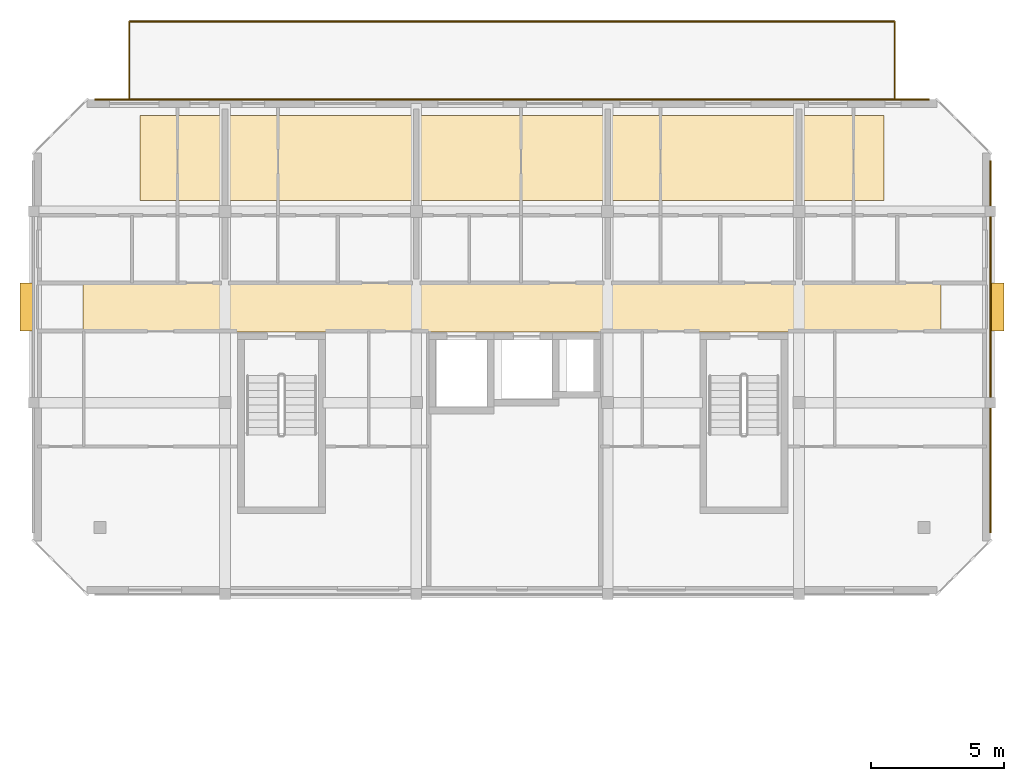
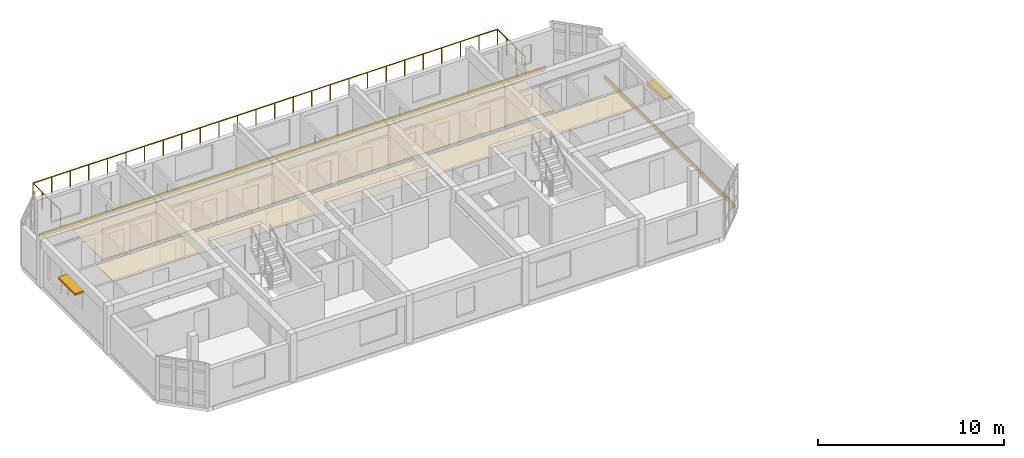
# One storey, part 16 of 16: 4 coverings, 2 shading devices, 1 railing.
"""IFC4 building model written with IfcOpenShell, lengths in metres."""

from ifc_helpers import new_model, si_unit, direction, frame, origin, origin_2d, place, context, subcontext, project, spatial, polyline, rectangle, circle, outline, extrude, material, layer, layer_set, type_object, element, save


model = new_model("IFC4")

# Units and contexts
model_context = context("Model", 3, precision=1e-05, world=origin(), true_north=direction((0.0, 1.0)))
body_context = subcontext(model_context, "Body", "Model", "MODEL_VIEW")
ifc_project = project(units=[si_unit("LENGTHUNIT", "METRE"), si_unit("AREAUNIT", "SQUARE_METRE"), si_unit("VOLUMEUNIT", "CUBIC_METRE"), si_unit("PLANEANGLEUNIT", "RADIAN"), si_unit("MASSUNIT", "GRAM", prefix="KILO")], contexts=[model_context])

# Site, building, storey
site_placement = place(None, origin())
site = spatial("IfcSite", under=ifc_project, at=site_placement, CompositionType="ELEMENT")
building_placement = place(site_placement, origin())
building = spatial("IfcBuilding", under=site, at=building_placement, Name="Ochrevale Crest", CompositionType="ELEMENT")
storey_placement = place(building_placement, frame((0.0, 0.0, 46.5)))
storey = spatial("IfcBuildingStorey", under=building, at=storey_placement, Name="L14", CompositionType="ELEMENT", Elevation=46.5)

# Coverings
ifc_material_1 = material(Name="Gypsum plasterboard", Category="gypsum")
ifc_layer_1 = layer(ifc_material_1, 0.02490234375)
ifc_layer_set_1 = layer_set([ifc_layer_1], Name="Gypsum plasterboard")
covering_type_1 = type_object("IfcCoveringType", Name="COV-CEIL-GYP", PredefinedType="CEILING", material=ifc_layer_set_1)
covering_1_placement = place(storey_placement, frame((0.0, 0.0, 2.280029296875)))
element("IfcCovering", 1, at=covering_1_placement, inside=storey, type_object=covering_type_1, Name="Block D L14 acoustic corridor ceiling", PredefinedType="CEILING", context=body_context, shape_type="SweptSolid", body=[
    extrude(outline(polyline([(131.449951171875, 81.860107421875), (163.75, 81.860107421875), (163.75, 83.739990234375), (131.449951171875, 83.739990234375), (131.449951171875, 81.860107421875)])), origin(), (0.0, 0.0, 1.0), 0.02490234375),
])
ifc_material_2 = material(Name="Glazed terracotta rainscreen tile", Category="masonry")
ifc_layer_2 = layer(ifc_material_2, 0.048095703125)
ifc_layer_set_2 = layer_set([ifc_layer_2], Name="Glazed terracotta rainscreen tile")
covering_type_2 = type_object("IfcCoveringType", Name="COV-CLAD-TER", PredefinedType="CLADDING", material=ifc_layer_set_2)
covering_2_placement = place(storey_placement, frame((165.614501953125, 81.300048828125, -0.26025390625), z_axis=(0.0, 0.0, 1.0), x_axis=(0.0, 1.0, 0.0)))
element("IfcCovering", 2, at=covering_2_placement, inside=storey, type_object=covering_type_2, Name="Block D L14 terracotta slab-edge spandrel cladding", PredefinedType="CLADDING", context=body_context, shape_type="SweptSolid", body=[
    extrude(rectangle(XDim=14.0, YDim=0.06005859375, at=origin_2d()), origin(), (0.0, 0.0, 1.0), 0.280029296875),
])
covering_3_placement = place(storey_placement, frame((147.60009765625, 90.614501953125, -0.26025390625), z_axis=(0.0, 0.0, 1.0), x_axis=(-1.0, 0.0, 0.0)))
element("IfcCovering", 3, at=covering_3_placement, inside=storey, type_object=covering_type_2, Name="Block D L14 terracotta slab-edge spandrel cladding", PredefinedType="CLADDING", context=body_context, shape_type="SweptSolid", body=[
    extrude(rectangle(XDim=31.39990234375, YDim=0.06005859375, at=origin_2d()), origin(), (0.0, 0.0, 1.0), 0.280029296875),
])
ifc_material_3 = material(Name="Engineered spotted-gum hardwood flooring", Category="wood")
ifc_layer_3 = layer(ifc_material_3, 0.02001953125)
ifc_layer_set_3 = layer_set([ifc_layer_3], Name="Engineered spotted-gum hardwood flooring")
covering_type_3 = type_object("IfcCoveringType", Name="COV-FLR-TIM", PredefinedType="FLOORING", material=ifc_layer_set_3)
covering_4_placement = place(storey_placement, origin())
element("IfcCovering", 4, at=covering_4_placement, inside=storey, type_object=covering_type_3, Name="Block D L14 spotted-gum apartment flooring", PredefinedType="FLOORING", context=body_context, shape_type="SweptSolid", body=[
    extrude(outline(polyline([(133.60009765625, 86.800048828125), (161.60009765625, 86.800048828125), (161.60009765625, 90.0), (133.60009765625, 90.0), (133.60009765625, 86.800048828125)])), origin(), (0.0, 0.0, 1.0), 0.02001953125),
])

# Railing
ifc_material_4 = material(Name="Galvanised steel", Category="steel")
railing_type = type_object("IfcRailingType", Name="RL-TER-1120", PredefinedType="BALUSTRADE", material=ifc_material_4)
railing_placement = place(storey_placement, frame((133.199951171875, 90.60009765625, 0.0)))
element("IfcRailing", 5, at=railing_placement, inside=storey, type_object=railing_type, Name="Block D L14 stepped roof-terrace perimeter balustrade", PredefinedType="BALUSTRADE", context=body_context, shape_type="SweptSolid", body=[
    extrude(circle(Radius=0.02392578125, at=origin_2d()), frame((0.0, 0.0, 1.09619140625), z_axis=(0.0, 1.0, 0.0), x_axis=(-1.0, 0.0, 0.0)), (0.0, 0.0, 1.0), 2.93994140625),
    extrude(circle(Radius=0.02392578125, at=origin_2d()), frame((0.0, 2.93994140625, 1.09619140625), z_axis=(1.0, 0.0, 0.0), x_axis=(0.0, 1.0, 0.0)), (0.0, 0.0, 1.0), 28.800048828125),
    extrude(circle(Radius=0.02392578125, at=origin_2d()), frame((28.800048828125, 2.93994140625, 1.09619140625), z_axis=(0.0, -1.0, 0.0), x_axis=(1.0, 0.0, 0.0)), (0.0, 0.0, 1.0), 2.93994140625),
    extrude(circle(Radius=0.02099609375, at=origin_2d()), origin(), (0.0, 0.0, 1.0), 1.072021484375),
    extrude(circle(Radius=0.02099609375, at=origin_2d()), frame((0.0, 0.97998046875, 0.0)), (0.0, 0.0, 1.0), 1.072021484375),
    extrude(circle(Radius=0.02099609375, at=origin_2d()), frame((0.0, 1.9599609375, 0.0)), (0.0, 0.0, 1.0), 1.072021484375),
    extrude(circle(Radius=0.02099609375, at=origin_2d()), frame((0.0, 2.93994140625, 0.0)), (0.0, 0.0, 1.0), 1.072021484375),
    extrude(circle(Radius=0.02099609375, at=origin_2d()), frame((1.152099609375, 2.93994140625, 0.0)), (0.0, 0.0, 1.0), 1.072021484375),
    extrude(circle(Radius=0.02099609375, at=origin_2d()), frame((2.303955078125, 2.93994140625, 0.0)), (0.0, 0.0, 1.0), 1.072021484375),
    extrude(circle(Radius=0.02099609375, at=origin_2d()), frame((3.4560546875, 2.93994140625, 0.0)), (0.0, 0.0, 1.0), 1.072021484375),
    extrude(circle(Radius=0.02099609375, at=origin_2d()), frame((4.60791015625, 2.93994140625, 0.0)), (0.0, 0.0, 1.0), 1.072021484375),
    extrude(circle(Radius=0.02099609375, at=origin_2d()), frame((5.760009765625, 2.93994140625, 0.0)), (0.0, 0.0, 1.0), 1.072021484375),
    extrude(circle(Radius=0.02099609375, at=origin_2d()), frame((6.912109375, 2.93994140625, 0.0)), (0.0, 0.0, 1.0), 1.072021484375),
    extrude(circle(Radius=0.02099609375, at=origin_2d()), frame((8.06396484375, 2.93994140625, 0.0)), (0.0, 0.0, 1.0), 1.072021484375),
    extrude(circle(Radius=0.02099609375, at=origin_2d()), frame((9.216064453125, 2.93994140625, 0.0)), (0.0, 0.0, 1.0), 1.072021484375),
    extrude(circle(Radius=0.02099609375, at=origin_2d()), frame((10.367919921875, 2.93994140625, 0.0)), (0.0, 0.0, 1.0), 1.072021484375),
    extrude(circle(Radius=0.02099609375, at=origin_2d()), frame((11.52001953125, 2.93994140625, 0.0)), (0.0, 0.0, 1.0), 1.072021484375),
    extrude(circle(Radius=0.02099609375, at=origin_2d()), frame((12.672119140625, 2.93994140625, 0.0)), (0.0, 0.0, 1.0), 1.072021484375),
    extrude(circle(Radius=0.02099609375, at=origin_2d()), frame((13.823974609375, 2.93994140625, 0.0)), (0.0, 0.0, 1.0), 1.072021484375),
    extrude(circle(Radius=0.02099609375, at=origin_2d()), frame((14.97607421875, 2.93994140625, 0.0)), (0.0, 0.0, 1.0), 1.072021484375),
    extrude(circle(Radius=0.02099609375, at=origin_2d()), frame((16.1279296875, 2.93994140625, 0.0)), (0.0, 0.0, 1.0), 1.072021484375),
    extrude(circle(Radius=0.02099609375, at=origin_2d()), frame((17.280029296875, 2.93994140625, 0.0)), (0.0, 0.0, 1.0), 1.072021484375),
    extrude(circle(Radius=0.02099609375, at=origin_2d()), frame((18.43212890625, 2.93994140625, 0.0)), (0.0, 0.0, 1.0), 1.072021484375),
    extrude(circle(Radius=0.02099609375, at=origin_2d()), frame((19.583984375, 2.93994140625, 0.0)), (0.0, 0.0, 1.0), 1.072021484375),
    extrude(circle(Radius=0.02099609375, at=origin_2d()), frame((20.736083984375, 2.93994140625, 0.0)), (0.0, 0.0, 1.0), 1.072021484375),
    extrude(circle(Radius=0.02099609375, at=origin_2d()), frame((21.887939453125, 2.93994140625, 0.0)), (0.0, 0.0, 1.0), 1.072021484375),
    extrude(circle(Radius=0.02099609375, at=origin_2d()), frame((23.0400390625, 2.93994140625, 0.0)), (0.0, 0.0, 1.0), 1.072021484375),
    extrude(circle(Radius=0.02099609375, at=origin_2d()), frame((24.192138671875, 2.93994140625, 0.0)), (0.0, 0.0, 1.0), 1.072021484375),
    extrude(circle(Radius=0.02099609375, at=origin_2d()), frame((25.343994140625, 2.93994140625, 0.0)), (0.0, 0.0, 1.0), 1.072021484375),
    extrude(circle(Radius=0.02099609375, at=origin_2d()), frame((26.49609375, 2.93994140625, 0.0)), (0.0, 0.0, 1.0), 1.072021484375),
    extrude(circle(Radius=0.02099609375, at=origin_2d()), frame((27.64794921875, 2.93994140625, 0.0)), (0.0, 0.0, 1.0), 1.072021484375),
    extrude(circle(Radius=0.02099609375, at=origin_2d()), frame((28.800048828125, 2.93994140625, 0.0)), (0.0, 0.0, 1.0), 1.072021484375),
    extrude(circle(Radius=0.02099609375, at=origin_2d()), frame((28.800048828125, 1.9599609375, 0.0)), (0.0, 0.0, 1.0), 1.072021484375),
    extrude(circle(Radius=0.02099609375, at=origin_2d()), frame((28.800048828125, 0.97998046875, 0.0)), (0.0, 0.0, 1.0), 1.072021484375),
    extrude(circle(Radius=0.02099609375, at=origin_2d()), frame((28.800048828125, 0.0, 0.0)), (0.0, 0.0, 1.0), 1.072021484375),
])

# Shading devices
ifc_material_5 = material(Name="Anodised aluminium 6063-T5", Category="aluminium")
shading_device_type = type_object("IfcShadingDeviceType", Name="SHD-SUNSHADE-OC", PredefinedType="USERDEFINED", material=ifc_material_5)
for number, where, z_axis, x_axis, name in (
    (6, (129.360107421875, 82.800048828125, 2.2099609375), (0.0, 0.0, 1.0), (1.0, 0.0, 0.0), "Block D L14 gable window sunshade W"),
    (7, (165.840087890625, 82.800048828125, 2.2099609375), (0.0, 0.0, 1.0), (1.0, 0.0, 0.0), "Block D L14 gable window sunshade E"),
):
    element("IfcShadingDevice", number, at=place(storey_placement, frame(where, z_axis=z_axis, x_axis=x_axis)), inside=storey, type_object=shading_device_type, Name=name, ObjectType="HORIZONTAL SUNSHADE", PredefinedType="USERDEFINED", context=body_context, shape_type="SweptSolid", body=[
        extrude(rectangle(XDim=0.550048828125, YDim=1.800048828125, at=origin_2d()), origin(), (0.0, 0.0, 1.0), 0.139892578125),
    ])

save(model, "model.ifc")
